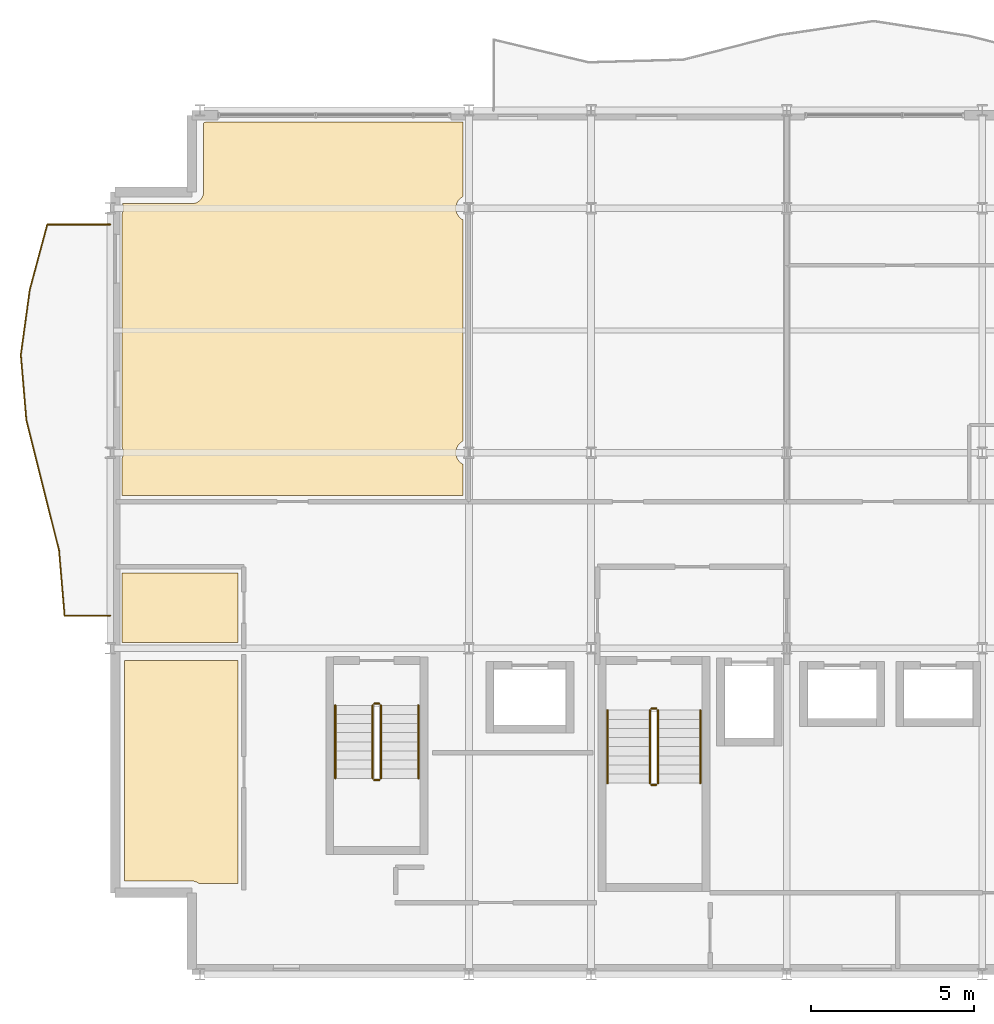
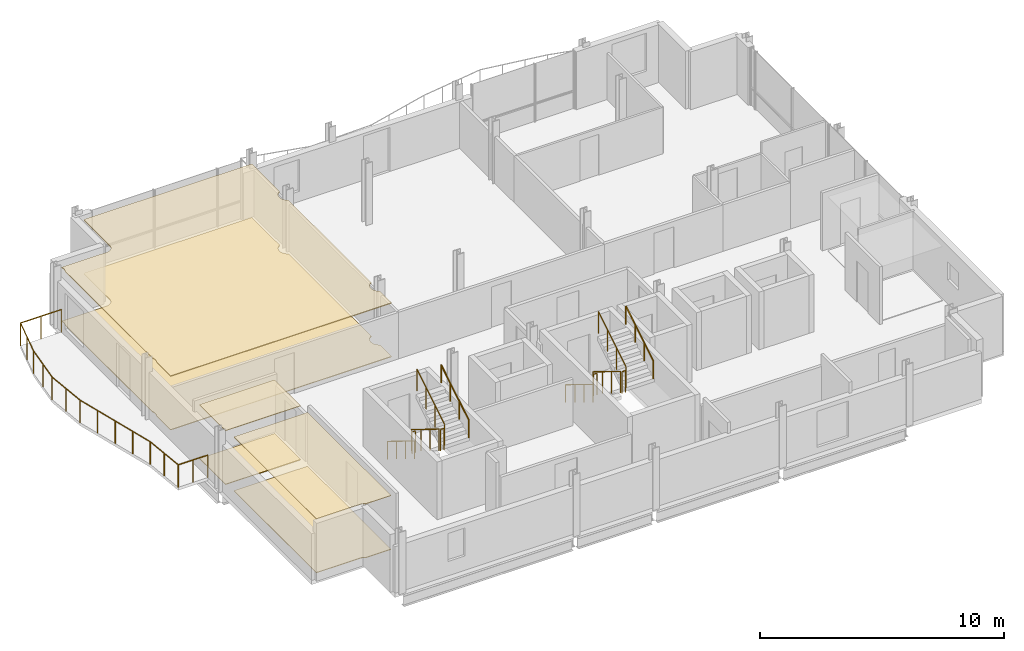
# One storey, part 11 of 12: 13 railings, 6 coverings.
"""IFC4 building model written with IfcOpenShell, lengths in metres."""

import ifcopenshell
import ifcopenshell.guid

model = None  # the IFC model being written
_history = None  # IfcOwnerHistory: only IFC2X3 demands one
_inside = {}  # id of a spatial element -> (the spatial element, [elements in it])
_under = {}  # id of a project, library or spatial element -> (it, [spatial elements below it])
_declared = {}  # id of a project -> (the project, [libraries it declares])
_typed = {}  # id of a type object -> (the type object, [elements of that type])
_made_of = {}  # id of a material, layer set ... -> (it, [elements and type objects made of it])


def new_model(schema):
    """Start an empty IFC model of exactly this schema.

    Asked for "IFC4X3", IfcOpenShell would pick the latest addendum, in which some entities
    have other attributes; the version numbers below select the first issue.
    IFC2X3 requires an IfcOwnerHistory on every rooted entity: one is made here for all.
    """
    global model, _history
    if schema == "IFC4X3":
        model = ifcopenshell.file(schema_version=(4, 3, 0, 0))
    else:
        model = ifcopenshell.file(schema=schema)
    _inside.clear()
    _under.clear()
    _declared.clear()
    _typed.clear()
    _made_of.clear()
    _history = None
    if model.schema == "IFC2X3":
        org = make("IfcOrganization", Name="unknown")
        user = make(
            "IfcPersonAndOrganization",
            ThePerson=make("IfcPerson", FamilyName="unknown"),
            TheOrganization=org,
        )
        app = make(
            "IfcApplication",
            ApplicationDeveloper=org,
            Version="unknown",
            ApplicationFullName="unknown",
            ApplicationIdentifier="unknown",
        )
        _history = make(
            "IfcOwnerHistory",
            OwningUser=user,
            OwningApplication=app,
            ChangeAction="ADDED",
            CreationDate=0,
        )
    return model


def make(cls, **values):
    """One entity of the class cls with the attributes given. An attribute that is None is left unset."""
    return model.create_entity(
        cls, **{name: value for name, value in values.items() if value is not None}
    )


def rooted(cls, **values):
    """An entity with a GlobalId (a new one), such as an element, a storey or a relation."""
    return make(cls, GlobalId=ifcopenshell.guid.new(), OwnerHistory=_history, **values)


def si_unit(unit_type, name, prefix=None):
    """IfcSIUnit, for example si_unit("LENGTHUNIT", "METRE", prefix="MILLI")."""
    return make("IfcSIUnit", UnitType=unit_type, Prefix=prefix, Name=name)


def assignment(units):
    """IfcUnitAssignment: the units of a project."""
    return None if units is None else make("IfcUnitAssignment", Units=units)


def point(xyz):
    """IfcCartesianPoint."""
    return None if xyz is None else make("IfcCartesianPoint", Coordinates=xyz)


def direction(xyz):
    """IfcDirection."""
    return None if xyz is None else make("IfcDirection", DirectionRatios=xyz)


def frame(location, z_axis=None, x_axis=None):
    """IfcAxis2Placement3D, a coordinate frame: its origin and axes. An axis left out is left unset."""
    return make(
        "IfcAxis2Placement3D",
        Location=point(location),
        Axis=direction(z_axis),
        RefDirection=direction(x_axis),
    )


def frame_2d(location, x_axis=None):
    """IfcAxis2Placement2D, a coordinate frame in the plane: its origin and x axis."""
    return make(
        "IfcAxis2Placement2D", Location=point(location), RefDirection=direction(x_axis)
    )


def origin():
    """The frame at (0, 0, 0) with its axes left unset."""
    return frame((0.0, 0.0, 0.0))


def origin_2d():
    """The frame at (0, 0) in the plane with its x axis left unset."""
    return frame_2d((0.0, 0.0))


def place(relative_to, where):
    """IfcLocalPlacement: puts the frame where relative to a parent placement (None: the world)."""
    return make(
        "IfcLocalPlacement", PlacementRelTo=relative_to, RelativePlacement=where
    )


def context(
    kind, dimensions, precision=None, world=None, true_north=None, identifier=None
):
    """IfcGeometricRepresentationContext, for example the 3D "Model" context."""
    return make(
        "IfcGeometricRepresentationContext",
        ContextIdentifier=identifier,
        ContextType=kind,
        CoordinateSpaceDimension=dimensions,
        Precision=precision,
        WorldCoordinateSystem=world,
        TrueNorth=true_north,
    )


def subcontext(parent, identifier, kind, view, scale=None):
    """IfcGeometricRepresentationSubContext, for example "Body" below "Model"."""
    return make(
        "IfcGeometricRepresentationSubContext",
        ContextIdentifier=identifier,
        ContextType=kind,
        ParentContext=parent,
        TargetScale=scale,
        TargetView=view,
    )


def project(units=None, contexts=None):
    """IfcProject with its units and contexts."""
    return rooted(
        "IfcProject",
        Name="project",
        RepresentationContexts=contexts,
        UnitsInContext=assignment(units),
    )


def spatial(cls, under=None, at=None, **own):
    """A site, building, storey or space (cls), placed at a placement, below another one or the project."""
    s = rooted(cls, ObjectPlacement=at, **own)
    if under is not None:
        _under.setdefault(under.id(), (under, []))[1].append(s)
    return s


def polyline(points):
    """IfcPolyline through the points."""
    return make("IfcPolyline", Points=[point(p) for p in points])


def profile(cls, at=None, kind="AREA", **sizes):
    """A parametric profile (cls). Its sizes go by their IFC names, for example OverallWidth=200.0."""
    return make(cls, ProfileType=kind, Position=at, **sizes)


def circle(**sizes):
    """IfcCircleProfileDef."""
    return profile("IfcCircleProfileDef", **sizes)


def outline(outer, holes=None, kind="AREA"):
    """IfcArbitraryClosedProfileDef: a profile drawn as a closed curve; with holes, ...WithVoids."""
    if holes is None:
        return make("IfcArbitraryClosedProfileDef", ProfileType=kind, OuterCurve=outer)
    return make(
        "IfcArbitraryProfileDefWithVoids",
        ProfileType=kind,
        OuterCurve=outer,
        InnerCurves=holes,
    )


def extrude(swept, where, along, depth):
    """IfcExtrudedAreaSolid: the profile swept, set in the frame where, extruded along a direction by depth."""
    return make(
        "IfcExtrudedAreaSolid",
        SweptArea=swept,
        Position=where,
        ExtrudedDirection=direction(along),
        Depth=depth,
    )


def shape(context_of_items, identifier, shape_type, items):
    """IfcShapeRepresentation: the items that make up one representation, for example the "Body"."""
    return make(
        "IfcShapeRepresentation",
        ContextOfItems=context_of_items,
        RepresentationIdentifier=identifier,
        RepresentationType=shape_type,
        Items=items,
    )


def material(Name=None, Category=None):
    """IfcMaterial."""
    return make("IfcMaterial", Name=Name, Category=Category)


def layer(
    of_material, thickness, ventilated=None, Name=None, Category=None, Priority=None
):
    """IfcMaterialLayer: one layer of a wall or slab, of a material (None: an air gap)."""
    return make(
        "IfcMaterialLayer",
        Material=of_material,
        LayerThickness=thickness,
        IsVentilated=ventilated,
        Name=Name,
        Category=Category,
        Priority=Priority,
    )


def layer_set(layers, Name=None):
    """IfcMaterialLayerSet."""
    return make("IfcMaterialLayerSet", MaterialLayers=layers, LayerSetName=Name)


def made_of(thing, what):
    """Note that an element or type object is made of a material, layer set ...; save() writes the relation."""
    if what is not None:
        _made_of.setdefault(what.id(), (what, []))[1].append(thing)
    return thing


def type_object(cls, material=None, **own):
    """A type object (cls), such as IfcWallType, which elements share."""
    return made_of(rooted(cls, **own), material)


def element(
    cls,
    number,
    at=None,
    inside=None,
    cuts=None,
    type_object=None,
    material=None,
    context=None,
    identifier="Body",
    shape_type=None,
    held_by="IfcProductDefinitionShape",
    body=None,
    shapes=None,
    **own,
):
    """One element of the class cls, such as IfcWall. Its Tag is "e" and its number.

    at: its placement. inside: the storey or other place that contains it. cuts: it is an
    opening in that element (IfcRelVoidsElement). A single representation is given by context,
    identifier, shape_type and body (its items); several are given by shapes. held_by: the class
    of the entity that holds the representations. save() writes the other relations.
    """
    e = rooted(cls, Tag="e%d" % number, ObjectPlacement=at, **own)
    if body is not None:
        shapes = [shape(context, identifier, shape_type, body)]
    if shapes is not None:
        e.Representation = make(held_by, Representations=shapes)
    if inside is not None:
        _inside.setdefault(inside.id(), (inside, []))[1].append(e)
    if cuts is not None:
        rooted(
            "IfcRelVoidsElement", RelatingBuildingElement=cuts, RelatedOpeningElement=e
        )
    if type_object is not None:
        _typed.setdefault(type_object.id(), (type_object, []))[1].append(e)
    return made_of(e, material)


def aggregate(whole, parts):
    """IfcRelAggregates: a whole, such as a stair, and the parts it consists of."""
    return rooted("IfcRelAggregates", RelatingObject=whole, RelatedObjects=parts)


def save(model, path):
    """Write the relations noted so far, then the file.

    IfcRelAggregates (storeys below a building ...), IfcRelContainedInSpatialStructure (elements
    in a storey), IfcRelDefinesByType, IfcRelAssociatesMaterial and IfcRelDeclares: one each for
    every whole, place, type object, material and project.
    """
    for whole, parts in _under.values():
        aggregate(whole, parts)
    for where, things in _inside.values():
        rooted(
            "IfcRelContainedInSpatialStructure",
            RelatedElements=things,
            RelatingStructure=where,
        )
    for kind, things in _typed.values():
        rooted("IfcRelDefinesByType", RelatedObjects=things, RelatingType=kind)
    for what, things in _made_of.values():
        rooted("IfcRelAssociatesMaterial", RelatedObjects=things, RelatingMaterial=what)
    for by, libraries in _declared.values():
        rooted("IfcRelDeclares", RelatingContext=by, RelatedDefinitions=libraries)
    model.write(path)


model = new_model("IFC4")

# Units and contexts
model_context = context("Model", 3, precision=1e-05, world=origin(), true_north=direction((0.0, 1.0)))
body_context = subcontext(model_context, "Body", "Model", "MODEL_VIEW")
ifc_project = project(units=[si_unit("LENGTHUNIT", "METRE"), si_unit("AREAUNIT", "SQUARE_METRE"), si_unit("VOLUMEUNIT", "CUBIC_METRE"), si_unit("PLANEANGLEUNIT", "RADIAN"), si_unit("MASSUNIT", "GRAM", prefix="KILO")], contexts=[model_context])

# Site, building, storey
site_placement = place(None, origin())
site = spatial("IfcSite", under=ifc_project, at=site_placement, CompositionType="ELEMENT")
building_placement = place(site_placement, origin())
building = spatial("IfcBuilding", under=site, at=building_placement, Name="Brevholm Reach", CompositionType="ELEMENT")
storey_placement = place(building_placement, frame((0.0, 0.0, 233.5)))
storey = spatial("IfcBuildingStorey", under=building, at=storey_placement, Name="L71", CompositionType="ELEMENT", Elevation=233.5)

# Coverings
ifc_material_1 = material(Name="Perforated Mineral-Fibre Class-A Acoustic Suspended Ceiling", Category="gypsum")
ifc_layer_1 = layer(ifc_material_1, 0.044921875)
ifc_layer_set_1 = layer_set([ifc_layer_1], Name="Perforated Mineral-Fibre Class-A Acoustic Suspended Ceiling")
covering_type_1 = type_object("IfcCoveringType", Name="COV-CLG-AC", PredefinedType="CEILING", material=ifc_layer_set_1)
covering_1_placement = place(storey_placement, frame((0.0, 0.0, 2.675048828125)))
element("IfcCovering", 1, at=covering_1_placement, inside=storey, type_object=covering_type_1, Name="L71 Suspended Ceiling L71-23", PredefinedType="CEILING", context=body_context, shape_type="SweptSolid", body=[
    extrude(outline(polyline([(27.610107421875, 15.82666015625), (27.61962890625, 15.846923828125), (27.6328125, 15.8837890625), (27.642333984375, 15.922119140625), (27.648193359375, 15.960693359375), (27.64990234375, 16.0), (27.648193359375, 16.039306640625), (27.642333984375, 16.077880859375), (27.6328125, 16.1162109375), (27.61962890625, 16.153076171875), (27.610107421875, 16.17333984375), (27.610107421875, 23.32666015625), (27.61962890625, 23.346923828125), (27.6328125, 23.3837890625), (27.642333984375, 23.422119140625), (27.648193359375, 23.460693359375), (27.64990234375, 23.5), (27.648193359375, 23.539306640625), (27.642333984375, 23.577880859375), (27.6328125, 23.6162109375), (27.624267578125, 23.639892578125), (29.75, 23.639892578125), (29.767822265625, 23.640869140625), (29.802978515625, 23.644287109375), (29.8203125, 23.64697265625), (29.837158203125, 23.651123046875), (29.870849609375, 23.661376953125), (29.8876953125, 23.667236328125), (29.90380859375, 23.6748046875), (29.934814453125, 23.69140625), (29.949951171875, 23.70068359375), (29.964111328125, 23.711181640625), (29.991455078125, 23.7333984375), (30.004638671875, 23.745361328125), (30.0166015625, 23.758544921875), (30.038818359375, 23.785888671875), (30.04931640625, 23.800048828125), (30.05859375, 23.815185546875), (30.0751953125, 23.84619140625), (30.082763671875, 23.8623046875), (30.088623046875, 23.879150390625), (30.098876953125, 23.912841796875), (30.10302734375, 23.9296875), (30.105712890625, 23.947021484375), (30.109130859375, 23.982177734375), (30.110107421875, 24.0), (30.110107421875, 26.11572265625), (30.1162109375, 26.1171875), (30.153076171875, 26.13037109375), (30.17333984375, 26.139892578125), (38.070068359375, 26.139892578125), (38.070068359375, 23.856689453125), (38.061279296875, 23.852783203125), (38.02783203125, 23.83251953125), (37.99609375, 23.80908203125), (37.96728515625, 23.78271484375), (37.94091796875, 23.75390625), (37.91748046875, 23.72216796875), (37.897216796875, 23.688720703125), (37.88037109375, 23.653076171875), (37.8671875, 23.6162109375), (37.857666015625, 23.577880859375), (37.851806640625, 23.539306640625), (37.85009765625, 23.5), (37.851806640625, 23.460693359375), (37.857666015625, 23.422119140625), (37.8671875, 23.3837890625), (37.88037109375, 23.346923828125), (37.897216796875, 23.311279296875), (37.91748046875, 23.27783203125), (37.94091796875, 23.24609375), (37.96728515625, 23.21728515625), (37.99609375, 23.19091796875), (38.02783203125, 23.16748046875), (38.061279296875, 23.147216796875), (38.070068359375, 23.143310546875), (38.070068359375, 16.356689453125), (38.061279296875, 16.352783203125), (38.02783203125, 16.33251953125), (37.99609375, 16.30908203125), (37.96728515625, 16.28271484375), (37.94091796875, 16.25390625), (37.91748046875, 16.22216796875), (37.897216796875, 16.188720703125), (37.88037109375, 16.153076171875), (37.8671875, 16.1162109375), (37.857666015625, 16.077880859375), (37.851806640625, 16.039306640625), (37.85009765625, 16.0), (37.851806640625, 15.960693359375), (37.857666015625, 15.922119140625), (37.8671875, 15.8837890625), (37.88037109375, 15.846923828125), (37.897216796875, 15.811279296875), (37.91748046875, 15.77783203125), (37.94091796875, 15.74609375), (37.96728515625, 15.71728515625), (37.99609375, 15.69091796875), (38.02783203125, 15.66748046875), (38.061279296875, 15.647216796875), (38.070068359375, 15.643310546875), (38.070068359375, 14.68408203125), (27.610107421875, 14.68408203125), (27.610107421875, 15.82666015625)])), origin(), (0.0, 0.0, 1.0), 0.044921875),
])
ifc_material_2 = material(Name="Moisture-Resistant Skimmed Gypsum Plasterboard Ceiling", Category="gypsum")
ifc_layer_2 = layer(ifc_material_2, 0.030029296875)
ifc_layer_set_2 = layer_set([ifc_layer_2], Name="Moisture-Resistant Skimmed Gypsum Plasterboard Ceiling")
covering_type_2 = type_object("IfcCoveringType", Name="COV-CLG-GYP", PredefinedType="CEILING", material=ifc_layer_set_2)
covering_2_placement = place(storey_placement, frame((0.0, 0.0, 2.68994140625)))
element("IfcCovering", 2, at=covering_2_placement, inside=storey, type_object=covering_type_2, Name="L71 Suspended Ceiling L71-11", PredefinedType="CEILING", context=body_context, shape_type="SweptSolid", body=[
    extrude(outline(polyline([(31.166015625, 9.6201171875), (31.166015625, 2.780029296875), (29.9736328125, 2.780029296875), (29.94189453125, 2.803466796875), (29.92724609375, 2.81298828125), (29.911865234375, 2.821533203125), (29.8955078125, 2.828125), (29.845703125, 2.845947265625), (29.82470703125, 2.85205078125), (29.802978515625, 2.855712890625), (29.767822265625, 2.859130859375), (29.75, 2.860107421875), (27.679931640625, 2.860107421875), (27.679931640625, 9.6201171875), (31.166015625, 9.6201171875)])), origin(), (0.0, 0.0, 1.0), 0.030029296875),
])
covering_3_placement = place(storey_placement, frame((0.0, 0.0, 2.68994140625)))
element("IfcCovering", 3, at=covering_3_placement, inside=storey, type_object=covering_type_2, Name="L71 Suspended Ceiling L71-22", PredefinedType="CEILING", context=body_context, shape_type="SweptSolid", body=[
    extrude(outline(polyline([(27.610107421875, 10.179931640625), (27.610107421875, 12.31591796875), (31.166015625, 12.31591796875), (31.166015625, 10.179931640625), (27.610107421875, 10.179931640625)])), origin(), (0.0, 0.0, 1.0), 0.030029296875),
])
ifc_material_3 = material(Name="Honed Portland-Aggregate Resin Terrazzo Flooring", Category="concrete")
ifc_layer_3 = layer(ifc_material_3, 0.031982421875)
ifc_layer_set_3 = layer_set([ifc_layer_3], Name="Honed Portland-Aggregate Resin Terrazzo Flooring")
covering_type_3 = type_object("IfcCoveringType", Name="COV-FLR-TRZ", PredefinedType="FLOORING", material=ifc_layer_set_3)
covering_4_placement = place(storey_placement, origin())
element("IfcCovering", 4, at=covering_4_placement, inside=storey, type_object=covering_type_3, Name="L71 Floor Finish L71-11", PredefinedType="FLOORING", context=body_context, shape_type="SweptSolid", body=[
    extrude(outline(polyline([(31.166015625, 9.6201171875), (31.166015625, 2.780029296875), (29.9736328125, 2.780029296875), (29.94189453125, 2.803466796875), (29.92724609375, 2.81298828125), (29.911865234375, 2.821533203125), (29.8955078125, 2.828125), (29.845703125, 2.845947265625), (29.82470703125, 2.85205078125), (29.802978515625, 2.855712890625), (29.767822265625, 2.859130859375), (29.75, 2.860107421875), (27.679931640625, 2.860107421875), (27.679931640625, 9.6201171875), (31.166015625, 9.6201171875)])), origin(), (0.0, 0.0, 1.0), 0.031982421875),
])
covering_5_placement = place(storey_placement, origin())
element("IfcCovering", 5, at=covering_5_placement, inside=storey, type_object=covering_type_3, Name="L71 Floor Finish L71-22", PredefinedType="FLOORING", context=body_context, shape_type="SweptSolid", body=[
    extrude(outline(polyline([(27.610107421875, 10.179931640625), (27.610107421875, 12.31591796875), (31.166015625, 12.31591796875), (31.166015625, 10.179931640625), (27.610107421875, 10.179931640625)])), origin(), (0.0, 0.0, 1.0), 0.031982421875),
])
covering_6_placement = place(storey_placement, origin())
element("IfcCovering", 6, at=covering_6_placement, inside=storey, type_object=covering_type_3, Name="L71 Floor Finish L71-23", PredefinedType="FLOORING", context=body_context, shape_type="SweptSolid", body=[
    extrude(outline(polyline([(27.610107421875, 15.82666015625), (27.61962890625, 15.846923828125), (27.6328125, 15.8837890625), (27.642333984375, 15.922119140625), (27.648193359375, 15.960693359375), (27.64990234375, 16.0), (27.648193359375, 16.039306640625), (27.642333984375, 16.077880859375), (27.6328125, 16.1162109375), (27.61962890625, 16.153076171875), (27.610107421875, 16.17333984375), (27.610107421875, 23.32666015625), (27.61962890625, 23.346923828125), (27.6328125, 23.3837890625), (27.642333984375, 23.422119140625), (27.648193359375, 23.460693359375), (27.64990234375, 23.5), (27.648193359375, 23.539306640625), (27.642333984375, 23.577880859375), (27.6328125, 23.6162109375), (27.624267578125, 23.639892578125), (29.75, 23.639892578125), (29.767822265625, 23.640869140625), (29.802978515625, 23.644287109375), (29.8203125, 23.64697265625), (29.837158203125, 23.651123046875), (29.870849609375, 23.661376953125), (29.8876953125, 23.667236328125), (29.90380859375, 23.6748046875), (29.934814453125, 23.69140625), (29.949951171875, 23.70068359375), (29.964111328125, 23.711181640625), (29.991455078125, 23.7333984375), (30.004638671875, 23.745361328125), (30.0166015625, 23.758544921875), (30.038818359375, 23.785888671875), (30.04931640625, 23.800048828125), (30.05859375, 23.815185546875), (30.0751953125, 23.84619140625), (30.082763671875, 23.8623046875), (30.088623046875, 23.879150390625), (30.098876953125, 23.912841796875), (30.10302734375, 23.9296875), (30.105712890625, 23.947021484375), (30.109130859375, 23.982177734375), (30.110107421875, 24.0), (30.110107421875, 26.11572265625), (30.1162109375, 26.1171875), (30.153076171875, 26.13037109375), (30.17333984375, 26.139892578125), (38.070068359375, 26.139892578125), (38.070068359375, 23.856689453125), (38.061279296875, 23.852783203125), (38.02783203125, 23.83251953125), (37.99609375, 23.80908203125), (37.96728515625, 23.78271484375), (37.94091796875, 23.75390625), (37.91748046875, 23.72216796875), (37.897216796875, 23.688720703125), (37.88037109375, 23.653076171875), (37.8671875, 23.6162109375), (37.857666015625, 23.577880859375), (37.851806640625, 23.539306640625), (37.85009765625, 23.5), (37.851806640625, 23.460693359375), (37.857666015625, 23.422119140625), (37.8671875, 23.3837890625), (37.88037109375, 23.346923828125), (37.897216796875, 23.311279296875), (37.91748046875, 23.27783203125), (37.94091796875, 23.24609375), (37.96728515625, 23.21728515625), (37.99609375, 23.19091796875), (38.02783203125, 23.16748046875), (38.061279296875, 23.147216796875), (38.070068359375, 23.143310546875), (38.070068359375, 16.356689453125), (38.061279296875, 16.352783203125), (38.02783203125, 16.33251953125), (37.99609375, 16.30908203125), (37.96728515625, 16.28271484375), (37.94091796875, 16.25390625), (37.91748046875, 16.22216796875), (37.897216796875, 16.188720703125), (37.88037109375, 16.153076171875), (37.8671875, 16.1162109375), (37.857666015625, 16.077880859375), (37.851806640625, 16.039306640625), (37.85009765625, 16.0), (37.851806640625, 15.960693359375), (37.857666015625, 15.922119140625), (37.8671875, 15.8837890625), (37.88037109375, 15.846923828125), (37.897216796875, 15.811279296875), (37.91748046875, 15.77783203125), (37.94091796875, 15.74609375), (37.96728515625, 15.71728515625), (37.99609375, 15.69091796875), (38.02783203125, 15.66748046875), (38.061279296875, 15.647216796875), (38.070068359375, 15.643310546875), (38.070068359375, 14.68408203125), (27.610107421875, 14.68408203125), (27.610107421875, 15.82666015625)])), origin(), (0.0, 0.0, 1.0), 0.031982421875),
])

# Railings
ifc_material_4 = material(Name="Brushed Stainless Steel EN 1.4401 and Laminated Glass", Category="steel")
railing_type_1 = type_object("IfcRailingType", Name="RAL-BALC-1150", PredefinedType="BALUSTRADE", material=ifc_material_4)
railing_1_placement = place(storey_placement, frame((27.25, 23.0, 0.0)))
element("IfcRailing", 7, at=railing_1_placement, inside=storey, type_object=railing_type_1, Name="L71 Guard Balustrade RAL-L71-BAL-SLOT", PredefinedType="BALUSTRADE", context=body_context, shape_type="SweptSolid", body=[
    extrude(circle(Radius=0.02392578125, at=origin_2d()), frame((0.0, 0.0, 1.1259765625), z_axis=(-1.0, 0.0, 0.0), x_axis=(0.0, -1.0, 0.0)), (0.0, 0.0, 1.0), 1.934814453125),
    extrude(circle(Radius=0.02392578125, at=origin_2d()), frame((-1.934814453125, 0.0, 1.1259765625), z_axis=(-0.259254638664, -0.965809004064, 0.0), x_axis=(0.965809004064, -0.259254638664, 0.0)), (0.0, 0.0, 1.0), 2.07080078125),
    extrude(circle(Radius=0.02392578125, at=origin_2d()), frame((-2.4716796875, -2.0, 1.1259765625), z_axis=(-0.136052170804, -0.990701673976, 0.0), x_axis=(0.990701673976, -0.136052170804, 0.0)), (0.0, 0.0, 1.0), 2.018798828125),
    extrude(circle(Radius=0.02392578125, at=origin_2d()), frame((-2.746337890625, -4.0, 1.1259765625), z_axis=(0.084535186016, -0.996420494734, 0.0), x_axis=(0.996420494734, 0.084535186016, 0.0)), (0.0, 0.0, 1.0), 2.007080078125),
    extrude(circle(Radius=0.02392578125, at=origin_2d()), frame((-2.57666015625, -6.0, 1.1259765625), z_axis=(0.243315605251, -0.969947171882, 0.0), x_axis=(0.969947171882, 0.243315605251, 0.0)), (0.0, 0.0, 1.0), 2.06201171875),
    extrude(circle(Radius=0.02392578125, at=origin_2d()), frame((-2.074951171875, -8.0, 1.1259765625), z_axis=(0.243204208362, -0.969975109493, 0.0), x_axis=(0.969975109493, 0.243204208362, 0.0)), (0.0, 0.0, 1.0), 2.06201171875),
    extrude(circle(Radius=0.02392578125, at=origin_2d()), frame((-1.573486328125, -10.0, 1.1259765625), z_axis=(0.084535186016, -0.996420494734, 0.0), x_axis=(0.996420494734, 0.084535186016, 0.0)), (0.0, 0.0, 1.0), 2.007080078125),
    extrude(circle(Radius=0.02392578125, at=origin_2d()), frame((-1.40380859375, -12.0, 1.1259765625), z_axis=(1.0, 0.0, 0.0), x_axis=(0.0, 1.0, 0.0)), (0.0, 0.0, 1.0), 1.40380859375),
    extrude(circle(Radius=0.02099609375, at=origin_2d()), origin(), (0.0, 0.0, 1.0), 1.101806640625),
    extrude(circle(Radius=0.02099609375, at=origin_2d()), frame((-0.96728515625, 0.0, 0.0)), (0.0, 0.0, 1.0), 1.101806640625),
    extrude(circle(Radius=0.02099609375, at=origin_2d()), frame((-1.934814453125, 0.0, 0.0)), (0.0, 0.0, 1.0), 1.101806640625),
    extrude(circle(Radius=0.02099609375, at=origin_2d()), frame((-2.203125, -1.0, 0.0)), (0.0, 0.0, 1.0), 1.101806640625),
    extrude(circle(Radius=0.02099609375, at=origin_2d()), frame((-2.4716796875, -2.0, 0.0)), (0.0, 0.0, 1.0), 1.101806640625),
    extrude(circle(Radius=0.02099609375, at=origin_2d()), frame((-2.60888671875, -3.0, 0.0)), (0.0, 0.0, 1.0), 1.101806640625),
    extrude(circle(Radius=0.02099609375, at=origin_2d()), frame((-2.746337890625, -4.0, 0.0)), (0.0, 0.0, 1.0), 1.101806640625),
    extrude(circle(Radius=0.02099609375, at=origin_2d()), frame((-2.66162109375, -5.0, 0.0)), (0.0, 0.0, 1.0), 1.101806640625),
    extrude(circle(Radius=0.02099609375, at=origin_2d()), frame((-2.57666015625, -6.0, 0.0)), (0.0, 0.0, 1.0), 1.101806640625),
    extrude(circle(Radius=0.02099609375, at=origin_2d()), frame((-2.32568359375, -7.0, 0.0)), (0.0, 0.0, 1.0), 1.101806640625),
    extrude(circle(Radius=0.02099609375, at=origin_2d()), frame((-2.074951171875, -8.0, 0.0)), (0.0, 0.0, 1.0), 1.101806640625),
    extrude(circle(Radius=0.02099609375, at=origin_2d()), frame((-1.82421875, -9.0, 0.0)), (0.0, 0.0, 1.0), 1.101806640625),
    extrude(circle(Radius=0.02099609375, at=origin_2d()), frame((-1.573486328125, -10.0, 0.0)), (0.0, 0.0, 1.0), 1.101806640625),
    extrude(circle(Radius=0.02099609375, at=origin_2d()), frame((-1.48876953125, -11.0, 0.0)), (0.0, 0.0, 1.0), 1.101806640625),
    extrude(circle(Radius=0.02099609375, at=origin_2d()), frame((-1.40380859375, -12.0, 0.0)), (0.0, 0.0, 1.0), 1.101806640625),
    extrude(circle(Radius=0.02099609375, at=origin_2d()), frame((-0.701904296875, -12.0, 0.0)), (0.0, 0.0, 1.0), 1.101806640625),
    extrude(circle(Radius=0.02099609375, at=origin_2d()), frame((0.0, -12.0, 0.0)), (0.0, 0.0, 1.0), 1.101806640625),
])
ifc_material_5 = material(Name="Brushed Stainless Steel EN 1.4401 Continuous Handrail", Category="steel")
railing_type_2 = type_object("IfcRailingType", Name="RAL-HND-950", PredefinedType="HANDRAIL", material=ifc_material_5)
railing_2_placement = place(storey_placement, frame((42.5, 8.10009765625, 0.172119140625)))
element("IfcRailing", 8, at=railing_2_placement, inside=storey, type_object=railing_type_2, Name="L71 ST-2 stair handrail 1", PredefinedType="HANDRAIL", context=body_context, shape_type="SweptSolid", body=[
    extrude(circle(Radius=0.02392578125, at=origin_2d()), frame((0.0, 0.0, 0.8857421875), z_axis=(0.0, -0.851747552033, 0.523952390591), x_axis=(1.0, 0.0, 0.0)), (0.0, 0.0, 1.0), 2.6298828125),
    extrude(circle(Radius=0.02099609375, at=origin_2d()), origin(), (0.0, 0.0, 1.0), 0.86181640625),
    extrude(circle(Radius=0.02099609375, at=origin_2d()), frame((0.0, -0.74658203125, 0.459228515625)), (0.0, 0.0, 1.0), 0.86181640625),
    extrude(circle(Radius=0.02099609375, at=origin_2d()), frame((0.0, -1.493408203125, 0.918701171875)), (0.0, 0.0, 1.0), 0.86181640625),
    extrude(circle(Radius=0.02099609375, at=origin_2d()), frame((0.0, -2.239990234375, 1.3779296875)), (0.0, 0.0, 1.0), 0.86181640625),
])
railing_3_placement = place(storey_placement, frame((45.35009765625, 5.860107421875, 1.72216796875)))
element("IfcRailing", 9, at=railing_3_placement, inside=storey, type_object=railing_type_2, Name="L71 ST-2 stair handrail 2", PredefinedType="HANDRAIL", context=body_context, shape_type="SweptSolid", body=[
    extrude(circle(Radius=0.02392578125, at=origin_2d()), frame((0.0, 0.0, 0.8857421875), z_axis=(0.0, 0.851747552033, 0.523952390591), x_axis=(-1.0, 0.0, 0.0)), (0.0, 0.0, 1.0), 2.6298828125),
    extrude(circle(Radius=0.02099609375, at=origin_2d()), origin(), (0.0, 0.0, 1.0), 0.86181640625),
    extrude(circle(Radius=0.02099609375, at=origin_2d()), frame((0.0, 0.74658203125, 0.459228515625)), (0.0, 0.0, 1.0), 0.86181640625),
    extrude(circle(Radius=0.02099609375, at=origin_2d()), frame((0.0, 1.493408203125, 0.918701171875)), (0.0, 0.0, 1.0), 0.86181640625),
    extrude(circle(Radius=0.02099609375, at=origin_2d()), frame((0.0, 2.239990234375, 1.3779296875)), (0.0, 0.0, 1.0), 0.86181640625),
])
railing_4_placement = place(storey_placement, frame((34.14990234375, 8.25, 0.172119140625)))
element("IfcRailing", 10, at=railing_4_placement, inside=storey, type_object=railing_type_2, Name="L71 ST-3 stair handrail 1", PredefinedType="HANDRAIL", context=body_context, shape_type="SweptSolid", body=[
    extrude(circle(Radius=0.02392578125, at=origin_2d()), frame((0.0, 0.0, 0.8857421875), z_axis=(0.0, -0.851747552033, 0.523952390591), x_axis=(1.0, 0.0, 0.0)), (0.0, 0.0, 1.0), 2.6298828125),
    extrude(circle(Radius=0.02099609375, at=origin_2d()), origin(), (0.0, 0.0, 1.0), 0.86181640625),
    extrude(circle(Radius=0.02099609375, at=origin_2d()), frame((0.0, -0.74658203125, 0.459228515625)), (0.0, 0.0, 1.0), 0.86181640625),
    extrude(circle(Radius=0.02099609375, at=origin_2d()), frame((0.0, -1.493408203125, 0.918701171875)), (0.0, 0.0, 1.0), 0.86181640625),
    extrude(circle(Radius=0.02099609375, at=origin_2d()), frame((0.0, -2.239990234375, 1.3779296875)), (0.0, 0.0, 1.0), 0.86181640625),
])
railing_5_placement = place(storey_placement, frame((36.699951171875, 6.010009765625, 1.72216796875)))
element("IfcRailing", 11, at=railing_5_placement, inside=storey, type_object=railing_type_2, Name="L71 ST-3 stair handrail 2", PredefinedType="HANDRAIL", context=body_context, shape_type="SweptSolid", body=[
    extrude(circle(Radius=0.02392578125, at=origin_2d()), frame((0.0, 0.0, 0.8857421875), z_axis=(0.0, 0.851747552033, 0.523952390591), x_axis=(-1.0, 0.0, 0.0)), (0.0, 0.0, 1.0), 2.6298828125),
    extrude(circle(Radius=0.02099609375, at=origin_2d()), origin(), (0.0, 0.0, 1.0), 0.86181640625),
    extrude(circle(Radius=0.02099609375, at=origin_2d()), frame((0.0, 0.74658203125, 0.459228515625)), (0.0, 0.0, 1.0), 0.86181640625),
    extrude(circle(Radius=0.02099609375, at=origin_2d()), frame((0.0, 1.493408203125, 0.918701171875)), (0.0, 0.0, 1.0), 0.86181640625),
    extrude(circle(Radius=0.02099609375, at=origin_2d()), frame((0.0, 2.239990234375, 1.3779296875)), (0.0, 0.0, 1.0), 0.86181640625),
])
ifc_material_6 = material(Name="Painted Tubular Galvanised Steel S275JR Stair Guard", Category="steel")
railing_type_3 = type_object("IfcRailingType", Name="RAL-STG-1120", PredefinedType="BALUSTRADE", material=ifc_material_6)
railing_6_placement = place(storey_placement, frame((43.800048828125, 8.10009765625, 0.172119140625)))
element("IfcRailing", 12, at=railing_6_placement, inside=storey, type_object=railing_type_3, Name="L71 ST-2 stair guard 1", PredefinedType="BALUSTRADE", context=body_context, shape_type="SweptSolid", body=[
    extrude(circle(Radius=0.02392578125, at=origin_2d()), frame((0.0, 0.0, 1.076171875), z_axis=(0.0, -0.851747552033, 0.523952390591), x_axis=(1.0, 0.0, 0.0)), (0.0, 0.0, 1.0), 2.6298828125),
    extrude(circle(Radius=0.02099609375, at=origin_2d()), origin(), (0.0, 0.0, 1.0), 1.052001953125),
    extrude(circle(Radius=0.02099609375, at=origin_2d()), frame((0.0, -0.74658203125, 0.459228515625)), (0.0, 0.0, 1.0), 1.052001953125),
    extrude(circle(Radius=0.02099609375, at=origin_2d()), frame((0.0, -1.493408203125, 0.918701171875)), (0.0, 0.0, 1.0), 1.052001953125),
    extrude(circle(Radius=0.02099609375, at=origin_2d()), frame((0.0, -2.239990234375, 1.3779296875)), (0.0, 0.0, 1.0), 1.052001953125),
])
railing_7_placement = place(storey_placement, frame((43.85009765625, 5.81005859375, 1.550048828125)))
element("IfcRailing", 13, at=railing_7_placement, inside=storey, type_object=railing_type_3, Name="L71 ST-2 stair guard 2", PredefinedType="BALUSTRADE", context=body_context, shape_type="SweptSolid", body=[
    extrude(circle(Radius=0.02392578125, at=origin_2d()), frame((0.0, 0.0, 1.076171875), z_axis=(1.0, 0.0, 0.0), x_axis=(0.0, 1.0, 0.0)), (0.0, 0.0, 1.0), 0.14990234375),
    extrude(circle(Radius=0.02099609375, at=origin_2d()), origin(), (0.0, 0.0, 1.0), 1.052001953125),
    extrude(circle(Radius=0.02099609375, at=origin_2d()), frame((0.14990234375, 0.0, 0.0)), (0.0, 0.0, 1.0), 1.052001953125),
])
railing_8_placement = place(storey_placement, frame((44.050048828125, 5.860107421875, 1.72216796875)))
element("IfcRailing", 14, at=railing_8_placement, inside=storey, type_object=railing_type_3, Name="L71 ST-2 stair guard 3", PredefinedType="BALUSTRADE", context=body_context, shape_type="SweptSolid", body=[
    extrude(circle(Radius=0.02392578125, at=origin_2d()), frame((0.0, 0.0, 1.076171875), z_axis=(0.0, 0.851747552033, 0.523952390591), x_axis=(-1.0, 0.0, 0.0)), (0.0, 0.0, 1.0), 2.6298828125),
    extrude(circle(Radius=0.02099609375, at=origin_2d()), origin(), (0.0, 0.0, 1.0), 1.052001953125),
    extrude(circle(Radius=0.02099609375, at=origin_2d()), frame((0.0, 0.74658203125, 0.459228515625)), (0.0, 0.0, 1.0), 1.052001953125),
    extrude(circle(Radius=0.02099609375, at=origin_2d()), frame((0.0, 1.493408203125, 0.918701171875)), (0.0, 0.0, 1.0), 1.052001953125),
    extrude(circle(Radius=0.02099609375, at=origin_2d()), frame((0.0, 2.239990234375, 1.3779296875)), (0.0, 0.0, 1.0), 1.052001953125),
])
railing_9_placement = place(storey_placement, frame((43.85009765625, 8.14990234375, 0.0)))
element("IfcRailing", 15, at=railing_9_placement, inside=storey, type_object=railing_type_3, Name="L71 ST-2 stair guard 4", PredefinedType="BALUSTRADE", context=body_context, shape_type="SweptSolid", body=[
    extrude(circle(Radius=0.02392578125, at=origin_2d()), frame((0.0, 0.0, 1.076171875), z_axis=(1.0, 0.0, 0.0), x_axis=(0.0, 1.0, 0.0)), (0.0, 0.0, 1.0), 0.14990234375),
    extrude(circle(Radius=0.02099609375, at=origin_2d()), origin(), (0.0, 0.0, 1.0), 1.052001953125),
    extrude(circle(Radius=0.02099609375, at=origin_2d()), frame((0.14990234375, 0.0, 0.0)), (0.0, 0.0, 1.0), 1.052001953125),
])
railing_10_placement = place(storey_placement, frame((35.300048828125, 8.25, 0.172119140625)))
element("IfcRailing", 16, at=railing_10_placement, inside=storey, type_object=railing_type_3, Name="L71 ST-3 stair guard 1", PredefinedType="BALUSTRADE", context=body_context, shape_type="SweptSolid", body=[
    extrude(circle(Radius=0.02392578125, at=origin_2d()), frame((0.0, 0.0, 1.076171875), z_axis=(0.0, -0.851747552033, 0.523952390591), x_axis=(1.0, 0.0, 0.0)), (0.0, 0.0, 1.0), 2.6298828125),
    extrude(circle(Radius=0.02099609375, at=origin_2d()), origin(), (0.0, 0.0, 1.0), 1.052001953125),
    extrude(circle(Radius=0.02099609375, at=origin_2d()), frame((0.0, -0.74658203125, 0.459228515625)), (0.0, 0.0, 1.0), 1.052001953125),
    extrude(circle(Radius=0.02099609375, at=origin_2d()), frame((0.0, -1.493408203125, 0.918701171875)), (0.0, 0.0, 1.0), 1.052001953125),
    extrude(circle(Radius=0.02099609375, at=origin_2d()), frame((0.0, -2.239990234375, 1.3779296875)), (0.0, 0.0, 1.0), 1.052001953125),
])
railing_11_placement = place(storey_placement, frame((35.35009765625, 5.9599609375, 1.550048828125)))
element("IfcRailing", 17, at=railing_11_placement, inside=storey, type_object=railing_type_3, Name="L71 ST-3 stair guard 2", PredefinedType="BALUSTRADE", context=body_context, shape_type="SweptSolid", body=[
    extrude(circle(Radius=0.02392578125, at=origin_2d()), frame((0.0, 0.0, 1.076171875), z_axis=(1.0, 0.0, 0.0), x_axis=(0.0, 1.0, 0.0)), (0.0, 0.0, 1.0), 0.14990234375),
    extrude(circle(Radius=0.02099609375, at=origin_2d()), origin(), (0.0, 0.0, 1.0), 1.052001953125),
    extrude(circle(Radius=0.02099609375, at=origin_2d()), frame((0.14990234375, 0.0, 0.0)), (0.0, 0.0, 1.0), 1.052001953125),
])
railing_12_placement = place(storey_placement, frame((35.550048828125, 6.010009765625, 1.72216796875)))
element("IfcRailing", 18, at=railing_12_placement, inside=storey, type_object=railing_type_3, Name="L71 ST-3 stair guard 3", PredefinedType="BALUSTRADE", context=body_context, shape_type="SweptSolid", body=[
    extrude(circle(Radius=0.02392578125, at=origin_2d()), frame((0.0, 0.0, 1.076171875), z_axis=(0.0, 0.851747552033, 0.523952390591), x_axis=(-1.0, 0.0, 0.0)), (0.0, 0.0, 1.0), 2.6298828125),
    extrude(circle(Radius=0.02099609375, at=origin_2d()), origin(), (0.0, 0.0, 1.0), 1.052001953125),
    extrude(circle(Radius=0.02099609375, at=origin_2d()), frame((0.0, 0.74658203125, 0.459228515625)), (0.0, 0.0, 1.0), 1.052001953125),
    extrude(circle(Radius=0.02099609375, at=origin_2d()), frame((0.0, 1.493408203125, 0.918701171875)), (0.0, 0.0, 1.0), 1.052001953125),
    extrude(circle(Radius=0.02099609375, at=origin_2d()), frame((0.0, 2.239990234375, 1.3779296875)), (0.0, 0.0, 1.0), 1.052001953125),
])
railing_13_placement = place(storey_placement, frame((35.35009765625, 8.300048828125, 0.0)))
element("IfcRailing", 19, at=railing_13_placement, inside=storey, type_object=railing_type_3, Name="L71 ST-3 stair guard 4", PredefinedType="BALUSTRADE", context=body_context, shape_type="SweptSolid", body=[
    extrude(circle(Radius=0.02392578125, at=origin_2d()), frame((0.0, 0.0, 1.076171875), z_axis=(1.0, 0.0, 0.0), x_axis=(0.0, 1.0, 0.0)), (0.0, 0.0, 1.0), 0.14990234375),
    extrude(circle(Radius=0.02099609375, at=origin_2d()), origin(), (0.0, 0.0, 1.0), 1.052001953125),
    extrude(circle(Radius=0.02099609375, at=origin_2d()), frame((0.14990234375, 0.0, 0.0)), (0.0, 0.0, 1.0), 1.052001953125),
])

save(model, "model.ifc")
